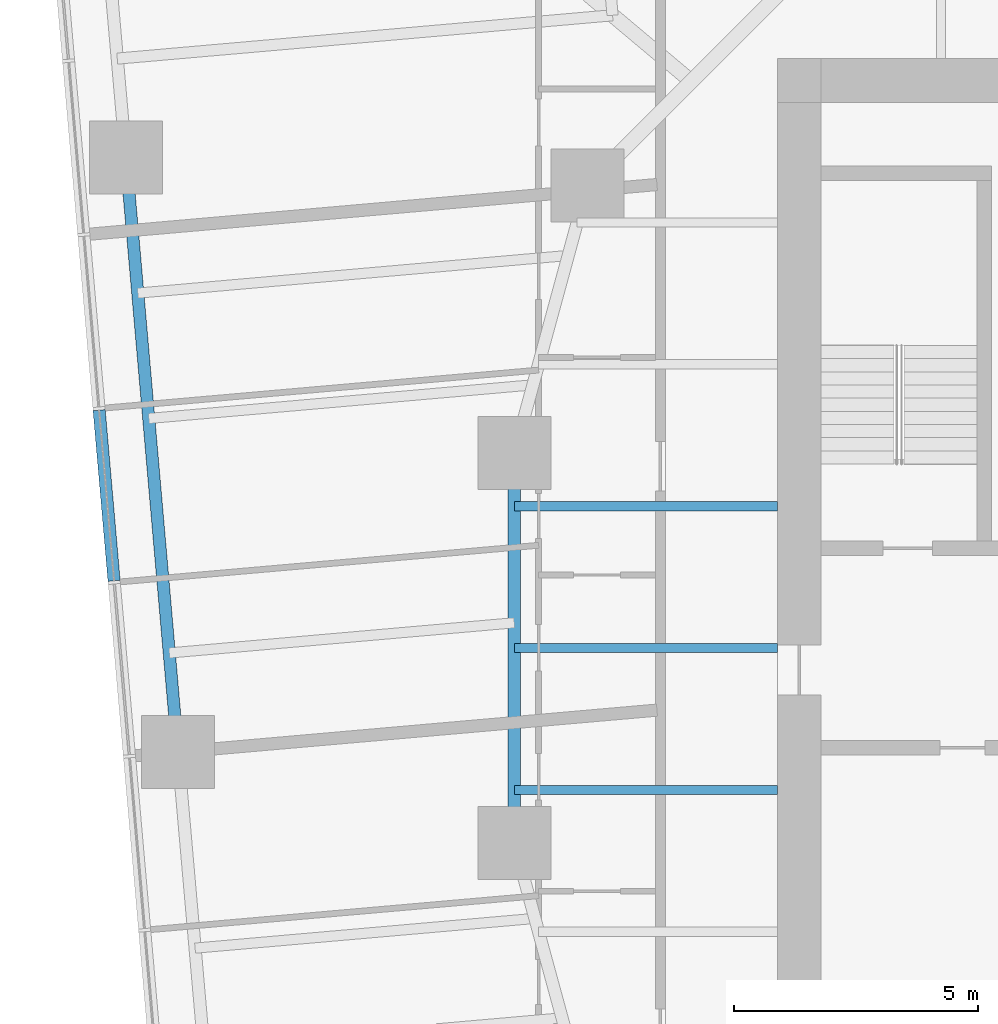
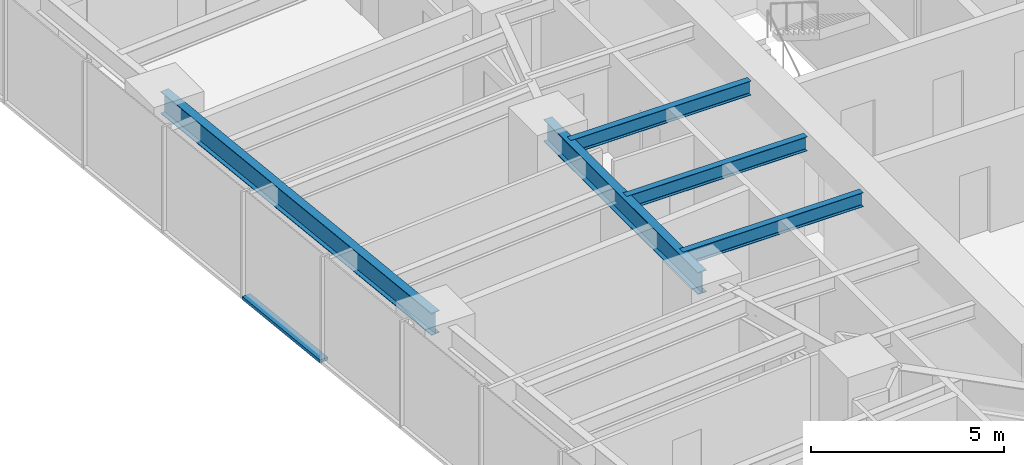
# One storey, part 3 of 14: 5 beams, 1 member, 1 element without a shape of its own.
"""IFC4 building model written with IfcOpenShell, lengths in metres."""

from ifc_helpers import new_model, si_unit, direction, frame, origin, origin_2d, place, context, subcontext, project, spatial, rectangle, i_section, extrude, material, material_profile, profile_set, type_object, element, aggregate, save


model = new_model("IFC4")

# Units and contexts
model_context = context("Model", 3, precision=1e-05, world=origin(), true_north=direction((0.0, 1.0)))
body_context = subcontext(model_context, "Body", "Model", "MODEL_VIEW")
ifc_project = project(units=[si_unit("LENGTHUNIT", "METRE"), si_unit("AREAUNIT", "SQUARE_METRE"), si_unit("VOLUMEUNIT", "CUBIC_METRE"), si_unit("PLANEANGLEUNIT", "RADIAN"), si_unit("MASSUNIT", "GRAM", prefix="KILO")], contexts=[model_context])

# Site, building, storey
site_placement = place(None, origin())
site = spatial("IfcSite", under=ifc_project, at=site_placement, CompositionType="ELEMENT")
building_placement = place(site_placement, origin())
building = spatial("IfcBuilding", under=site, at=building_placement, Name="Torsade Residences", CompositionType="ELEMENT")
storey_placement = place(building_placement, frame((0.0, 0.0, 50.60009765625)))
storey = spatial("IfcBuildingStorey", under=building, at=storey_placement, Name="L13", CompositionType="ELEMENT", Elevation=50.60009765625)

# Curtain wall, member
ifc_material_1 = material(Name="Aluminium and glass", Category="aluminium")
curtain_wall_type = type_object("IfcCurtainWallType", Name="FRITTED GLASS CURTAIN WALL LOW ZONE", PredefinedType="NOTDEFINED", material=ifc_material_1)
curtain_wall_placement = place(storey_placement, origin())
curtain_wall = element("IfcCurtainWall", 1, at=curtain_wall_placement, inside=storey, type_object=curtain_wall_type, Name="Curtain wall L13 face 10", PredefinedType="NOTDEFINED")
ifc_material_2 = material(Name="Aluminium transom", Category="aluminium")
ifc_material_profile_1 = material_profile(ifc_material_2, rectangle(XDim=0.25, YDim=0.10009765625, at=origin_2d()), Name="CURTAIN WALL TRANSOM 250x100")
ifc_profile_set_1 = profile_set([ifc_material_profile_1], Name="Aluminium transom")
member_type = type_object("IfcMemberType", Name="CURTAIN WALL TRANSOM 250x100", PredefinedType="USERDEFINED", material=ifc_profile_set_1)
member_placement = place(storey_placement, frame((13.975341796875, 34.884521484375, 0.0498046875), z_axis=(0.087156620531, -0.996194621295, 0.0), x_axis=(0.996194621295, 0.087156620531, 0.0)))
member = element("IfcMember", 2, at=member_placement, type_object=member_type, Name="Transom 5.1", ObjectType="TRANSOM", PredefinedType="USERDEFINED", context=body_context, shape_type="SweptSolid", body=[
    extrude(rectangle(XDim=0.25, YDim=0.10009765625, at=origin_2d()), origin(), (0.0, 0.0, 1.0), 3.518310546875),
])
aggregate(curtain_wall, [member])

# Beams
ifc_material_3 = material(Name="Steel grade 300", Category="steel")
ifc_material_profile_2 = material_profile(ifc_material_3, i_section(OverallWidth=0.25, OverallDepth=0.699951171875, WebThickness=0.010009765625, FlangeThickness=0.02001953125, at=origin_2d()), Name="700WB130")
ifc_profile_set_2 = profile_set([ifc_material_profile_2], Name="Steel grade 300")
beam_type_1 = type_object("IfcBeamType", Name="EDGE BEAM 700WB130", PredefinedType="SPANDREL", material=ifc_profile_set_2)
beam_1_placement = place(storey_placement, frame((14.525634765625, 40.068115234375, 2.89990234375), z_axis=(0.08715335259, -0.996194907201, 0.0), x_axis=(0.996194907201, 0.08715335259, 0.0)))
element("IfcBeam", 3, at=beam_1_placement, inside=storey, type_object=beam_type_1, Name="Edge beam 14 L14", PredefinedType="SPANDREL", context=body_context, shape_type="SweptSolid", body=[
    extrude(i_section(OverallWidth=0.25, OverallDepth=0.699951171875, WebThickness=0.010009765625, FlangeThickness=0.02001953125, at=origin_2d()), origin(), (0.0, 0.0, 1.0), 12.25),
])
ifc_material_4 = material(Name="Steel grade 300", Category="steel")
ifc_material_profile_3 = material_profile(ifc_material_4, i_section(OverallWidth=0.18994140625, OverallDepth=0.4541015625, WebThickness=0.008544921875, FlangeThickness=0.0126953125, FilletRadius=0.011474609375, at=origin_2d()), Name="460UB67.1")
ifc_profile_set_3 = profile_set([ifc_material_profile_3], Name="Steel grade 300")
beam_type_2 = type_object("IfcBeamType", Name="INNER FLOOR BEAM 460UB67.1", PredefinedType="JOIST", material=ifc_profile_set_3)
for number, where, z_axis, x_axis, name in (
    (4, (27.89990234375, 32.91259765625, 3.02294921875), (-1.0, 0.0, 0.0), (0.0, -1.0, 0.0), "Inner floor beam IW03 L14"),
    (5, (27.89990234375, 30.0, 3.02294921875), (-1.0, 0.0, 0.0), (0.0, -1.0, 0.0), "Inner floor beam IW04 L14"),
    (6, (27.89990234375, 27.08740234375, 3.02294921875), (-1.0, 0.0, 0.0), (0.0, -1.0, 0.0), "Inner floor beam IW05 L14"),
):
    element("IfcBeam", number, at=place(storey_placement, frame(where, z_axis=z_axis, x_axis=x_axis)), inside=storey, type_object=beam_type_2, Name=name, PredefinedType="JOIST", context=body_context, shape_type="SweptSolid", body=[
        extrude(i_section(OverallWidth=0.18994140625, OverallDepth=0.4541015625, WebThickness=0.008544921875, FlangeThickness=0.0126953125, FilletRadius=0.011474609375, at=origin_2d()), origin(), (0.0, 0.0, 1.0), 5.39990234375),
    ])
ifc_material_5 = material(Name="Steel grade 300", Category="steel")
ifc_material_profile_4 = material_profile(ifc_material_5, i_section(OverallWidth=0.25, OverallDepth=0.699951171875, WebThickness=0.010009765625, FlangeThickness=0.02001953125, at=origin_2d()), Name="700WB130")
ifc_profile_set_4 = profile_set([ifc_material_profile_4], Name="Steel grade 300")
beam_type_3 = type_object("IfcBeamType", Name="RING GIRDER 700WB130", PredefinedType="BEAM", material=ifc_profile_set_4)
beam_2_placement = place(storey_placement, frame((22.5, 34.0, 2.89990234375), z_axis=(0.0, -1.0, 0.0), x_axis=(1.0, 0.0, 0.0)))
element("IfcBeam", 7, at=beam_2_placement, inside=storey, type_object=beam_type_3, Name="Ring girder IR09 L14", PredefinedType="BEAM", context=body_context, shape_type="SweptSolid", body=[
    extrude(i_section(OverallWidth=0.25, OverallDepth=0.699951171875, WebThickness=0.010009765625, FlangeThickness=0.02001953125, at=origin_2d()), origin(), (0.0, 0.0, 1.0), 8.0),
])

save(model, "model.ifc")
